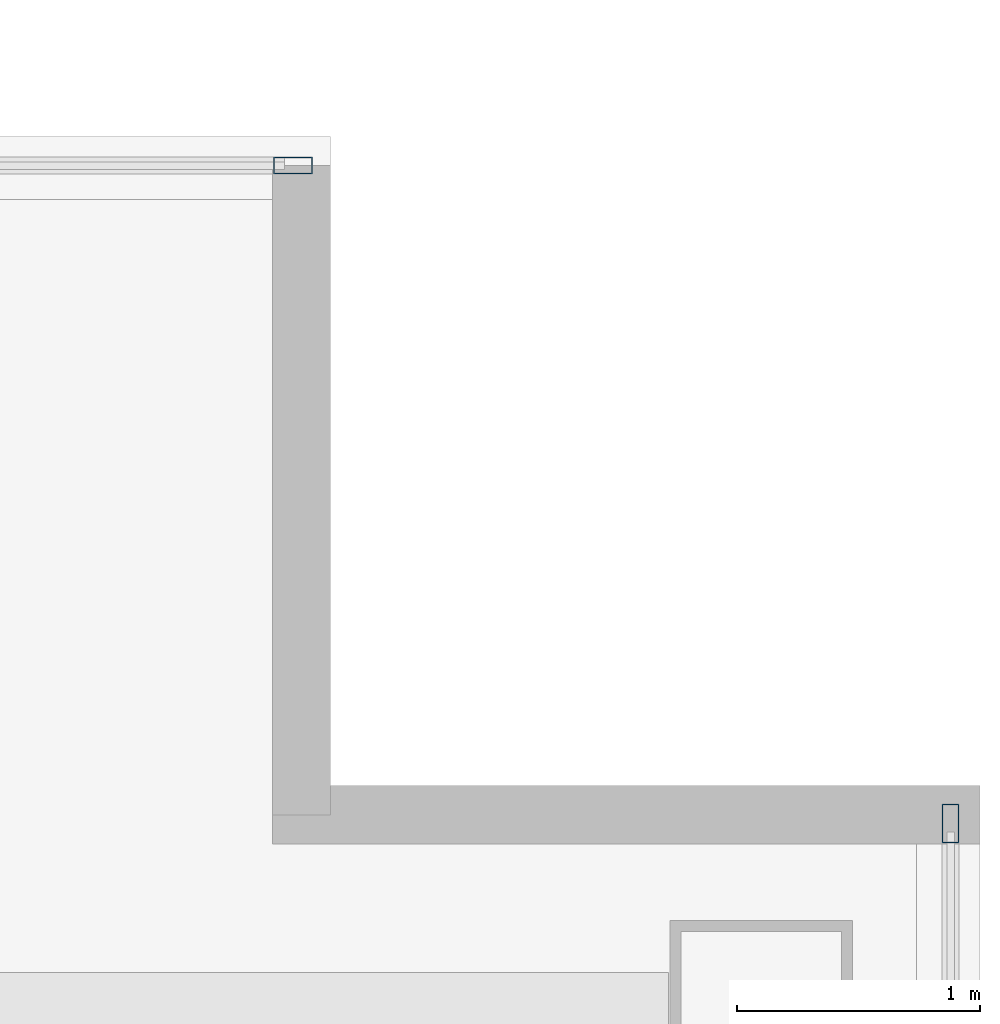
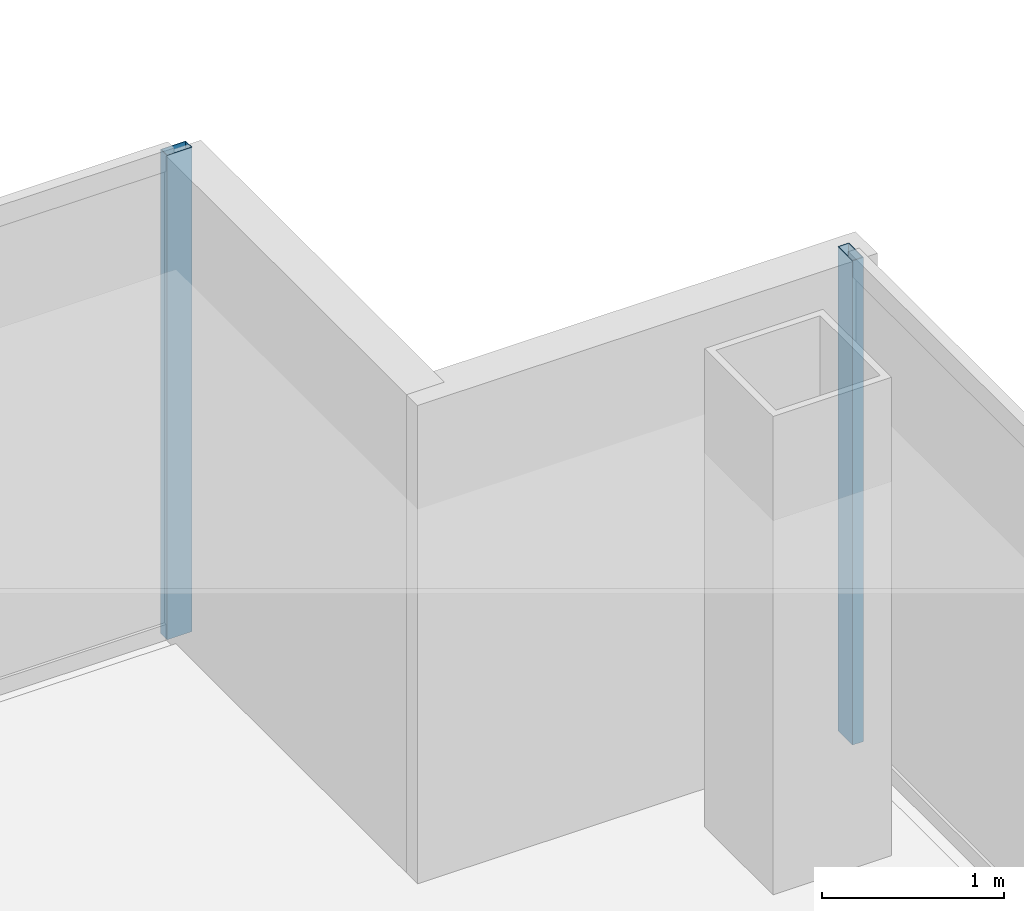
# One storey, part 16 of 23: 2 members, 2 elements without a shape of their own.
"""IFC4 building model written with IfcOpenShell, lengths in metres."""

from ifc_helpers import new_model, si_unit, direction, frame, origin, origin_2d, place, context, subcontext, project, spatial, hollow_rectangle, extrude, material, material_profile, profile_set, type_object, element, aggregate, save


model = new_model("IFC4")

# Units and contexts
model_context = context("Model", 3, precision=1e-05, world=origin(), true_north=direction((0.0, 1.0)))
body_context = subcontext(model_context, "Body", "Model", "MODEL_VIEW")
ifc_project = project(units=[si_unit("LENGTHUNIT", "METRE"), si_unit("AREAUNIT", "SQUARE_METRE"), si_unit("VOLUMEUNIT", "CUBIC_METRE"), si_unit("PLANEANGLEUNIT", "RADIAN"), si_unit("MASSUNIT", "GRAM", prefix="KILO")], contexts=[model_context])

# Site, building, storey
site_placement = place(None, origin())
site = spatial("IfcSite", under=ifc_project, at=site_placement, CompositionType="ELEMENT")
building_placement = place(site_placement, origin())
building = spatial("IfcBuilding", under=site, at=building_placement, Name="Cobrela Telecom Tower", CompositionType="ELEMENT")
storey_placement = place(building_placement, frame((0.0, 0.0, 218.75)))
storey = spatial("IfcBuildingStorey", under=building, at=storey_placement, Name="L56", CompositionType="ELEMENT", Elevation=218.75)

# Curtain wall, member
ifc_material = material(Name="Anodized Bronze Aluminium 6063-T6", Category="aluminium")
curtain_wall_type = type_object("IfcCurtainWallType", Name="CW-SYS-OFF-LO", PredefinedType="USERDEFINED", material=ifc_material)
curtain_wall_1_placement = place(storey_placement, origin())
curtain_wall_1 = element("IfcCurtainWall", 1, at=curtain_wall_1_placement, inside=storey, type_object=curtain_wall_type, Name="L56 Unitised Bronze Curtain Wall 11", ObjectType="UNITISED CURTAIN WALL", PredefinedType="USERDEFINED")
ifc_material_profile = material_profile(ifc_material, hollow_rectangle(XDim=0.070068359375, YDim=0.159912109375, WallThickness=0.00390625, at=origin_2d()), Name="ALU 70x160x4")
ifc_profile_set = profile_set([ifc_material_profile], Name="Anodized Bronze Aluminium 6063-T6")
member_type = type_object("IfcMemberType", Name="CW-SYS-OFF-LO-MUL", PredefinedType="MULLION", material=ifc_profile_set)
member_1_placement = place(storey_placement, frame((41.175048828125, 25.080078125, 0.0), z_axis=(0.0, 0.0, 1.0), x_axis=(0.0, 1.0, 0.0)))
member_1 = element("IfcMember", 2, at=member_1_placement, type_object=member_type, Name="CW-OFF-LO mullion 3", PredefinedType="MULLION", context=body_context, shape_type="SweptSolid", body=[
    extrude(hollow_rectangle(XDim=0.070068359375, YDim=0.159912109375, WallThickness=0.00390625, at=origin_2d()), origin(), (0.0, 0.0, 1.0), 3.239990234375),
])
aggregate(curtain_wall_1, [member_1])

curtain_wall_2_placement = place(storey_placement, origin())
curtain_wall_2 = element("IfcCurtainWall", 3, at=curtain_wall_2_placement, inside=storey, type_object=curtain_wall_type, Name="L56 Unitised Bronze Curtain Wall 14", ObjectType="UNITISED CURTAIN WALL", PredefinedType="USERDEFINED")
member_2_placement = place(storey_placement, frame((43.8798828125, 22.375, 0.0), z_axis=(0.0, 0.0, 1.0), x_axis=(1.0, 0.0, 0.0)))
member_2 = element("IfcMember", 4, at=member_2_placement, type_object=member_type, Name="CW-OFF-LO mullion 1", PredefinedType="MULLION", context=body_context, shape_type="SweptSolid", body=[
    extrude(hollow_rectangle(XDim=0.070068359375, YDim=0.159912109375, WallThickness=0.00390625, at=origin_2d()), origin(), (0.0, 0.0, 1.0), 3.239990234375),
])
aggregate(curtain_wall_2, [member_2])

save(model, "model.ifc")
